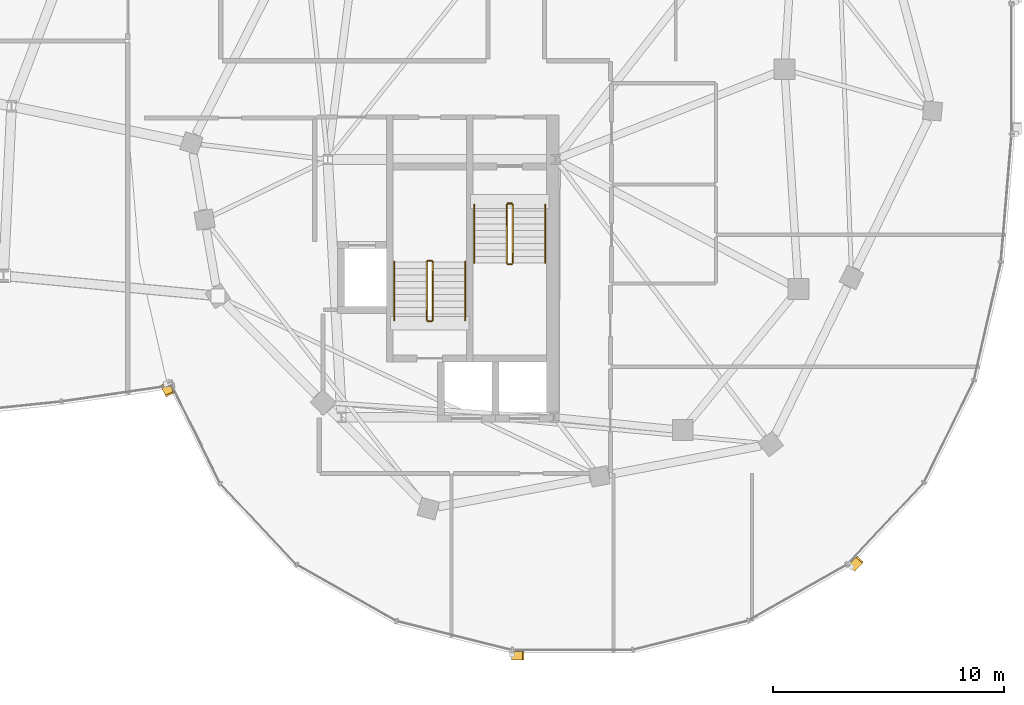
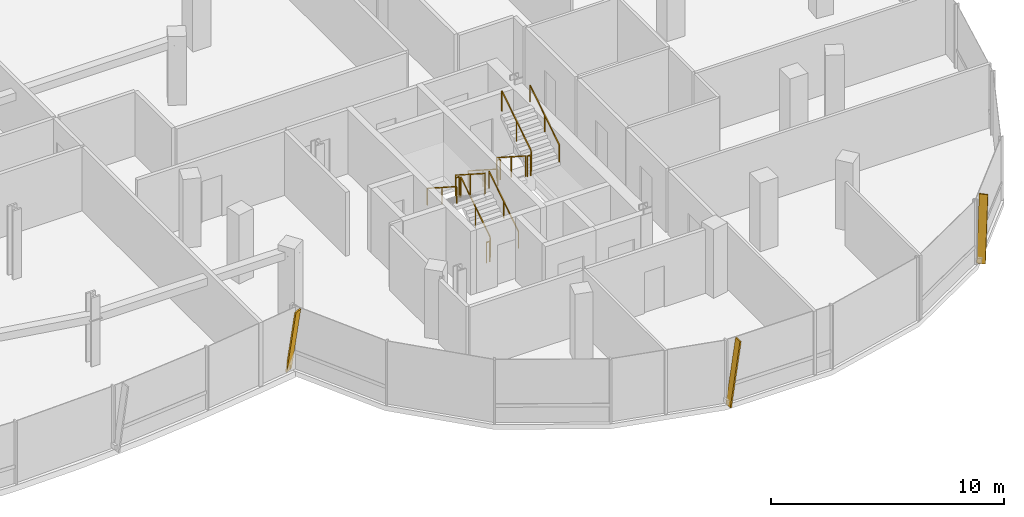
# One storey, part 24 of 25: 12 railings, 3 shading devices.
"""IFC4 building model written with IfcOpenShell, lengths in metres."""

from ifc_helpers import new_model, si_unit, direction, frame, origin, origin_2d, place, context, subcontext, project, spatial, rectangle, extrude, material, material_profile, profile_set, type_object, element, save


model = new_model("IFC4")

# Units and contexts
model_context = context("Model", 3, precision=1e-05, world=origin(), true_north=direction((0.0, 1.0)))
body_context = subcontext(model_context, "Body", "Model", "MODEL_VIEW")
ifc_project = project(units=[si_unit("LENGTHUNIT", "METRE"), si_unit("AREAUNIT", "SQUARE_METRE"), si_unit("VOLUMEUNIT", "CUBIC_METRE"), si_unit("PLANEANGLEUNIT", "RADIAN"), si_unit("MASSUNIT", "GRAM", prefix="KILO"), si_unit("THERMODYNAMICTEMPERATUREUNIT", "KELVIN"), si_unit("POWERUNIT", "WATT")], contexts=[model_context])

# Site, building, storey
site_placement = place(None, origin())
site = spatial("IfcSite", under=ifc_project, at=site_placement, CompositionType="ELEMENT")
building_placement = place(site_placement, origin())
building = spatial("IfcBuilding", under=site, at=building_placement, Name="Cundina Bronze Exchange", CompositionType="ELEMENT")
storey_placement = place(building_placement, frame((0.0, 0.0, 239.60009765625)))
storey = spatial("IfcBuildingStorey", under=building, at=storey_placement, Name="L63", CompositionType="ELEMENT", Elevation=239.60009765625)

# Railings
ifc_material_1 = material(Name="Steel ASTM A36 Painted", Category="steel")
railing_type_1 = type_object("IfcRailingType", Name="RLG-HND-900", PredefinedType="HANDRAIL", material=ifc_material_1)
railing_1_placement = place(storey_placement, frame((27.7900390625, -5.85009765625, 0.179931640625)))
element("IfcRailing", 1, at=railing_1_placement, inside=storey, type_object=railing_type_1, Name="L63 ST-E1 stair handrail 1", PredefinedType="HANDRAIL", context=body_context, shape_type="SweptSolid", body=[
    extrude(rectangle(XDim=0.048095703125, YDim=0.048095703125, at=origin_2d()), frame((0.0, 0.0, 0.8759765625), z_axis=(0.0, -0.841199657755, 0.540724639528), x_axis=(1.0, 0.0, 0.0)), (0.0, 0.0, 1.0), 2.995849609375),
    extrude(rectangle(XDim=0.0419921875, YDim=0.0419921875, at=origin_2d()), origin(), (0.0, 0.0, 1.0), 0.851806640625),
    extrude(rectangle(XDim=0.0419921875, YDim=0.0419921875, at=origin_2d()), frame((0.0, -1.260009765625, 0.81005859375)), (0.0, 0.0, 1.0), 0.851806640625),
    extrude(rectangle(XDim=0.0419921875, YDim=0.0419921875, at=origin_2d()), frame((0.0, -2.52001953125, 1.619873046875)), (0.0, 0.0, 1.0), 0.851806640625),
])
for number, where, name in (
    (2, (30.85009765625, -8.3701171875, 1.97998046875), "L63 ST-E1 stair handrail 2"),
    (3, (27.389892578125, -10.85009765625, 0.179931640625), "L63 ST-E2 stair handrail 1"),
):
    element("IfcRailing", number, at=place(storey_placement, frame(where)), inside=storey, type_object=railing_type_1, Name=name, PredefinedType="HANDRAIL", context=body_context, shape_type="SweptSolid", body=[
        extrude(rectangle(XDim=0.048095703125, YDim=0.048095703125, at=origin_2d()), frame((0.0, 0.0, 0.8759765625), z_axis=(0.0, 0.841199657755, 0.540724639528), x_axis=(-1.0, 0.0, 0.0)), (0.0, 0.0, 1.0), 2.995849609375),
        extrude(rectangle(XDim=0.0419921875, YDim=0.0419921875, at=origin_2d()), origin(), (0.0, 0.0, 1.0), 0.851806640625),
        extrude(rectangle(XDim=0.0419921875, YDim=0.0419921875, at=origin_2d()), frame((0.0, 1.260009765625, 0.81005859375)), (0.0, 0.0, 1.0), 0.851806640625),
        extrude(rectangle(XDim=0.0419921875, YDim=0.0419921875, at=origin_2d()), frame((0.0, 2.52001953125, 1.619873046875)), (0.0, 0.0, 1.0), 0.851806640625),
    ])
railing_2_placement = place(storey_placement, frame((24.330078125, -8.330078125, 1.97998046875)))
element("IfcRailing", 4, at=railing_2_placement, inside=storey, type_object=railing_type_1, Name="L63 ST-E2 stair handrail 2", PredefinedType="HANDRAIL", context=body_context, shape_type="SweptSolid", body=[
    extrude(rectangle(XDim=0.048095703125, YDim=0.048095703125, at=origin_2d()), frame((0.0, 0.0, 0.8759765625), z_axis=(0.0, -0.841199657755, 0.540724639528), x_axis=(1.0, 0.0, 0.0)), (0.0, 0.0, 1.0), 2.995849609375),
    extrude(rectangle(XDim=0.0419921875, YDim=0.0419921875, at=origin_2d()), origin(), (0.0, 0.0, 1.0), 0.851806640625),
    extrude(rectangle(XDim=0.0419921875, YDim=0.0419921875, at=origin_2d()), frame((0.0, -1.260009765625, 0.81005859375)), (0.0, 0.0, 1.0), 0.851806640625),
    extrude(rectangle(XDim=0.0419921875, YDim=0.0419921875, at=origin_2d()), frame((0.0, -2.52001953125, 1.619873046875)), (0.0, 0.0, 1.0), 0.851806640625),
])
railing_type_2 = type_object("IfcRailingType", Name="RLG-STG-1100", PredefinedType="GUARDRAIL", material=ifc_material_1)
railing_3_placement = place(storey_placement, frame((29.18994140625, -5.85009765625, 0.179931640625)))
element("IfcRailing", 5, at=railing_3_placement, inside=storey, type_object=railing_type_2, Name="L63 ST-E1 stair guard 1", PredefinedType="GUARDRAIL", context=body_context, shape_type="SweptSolid", body=[
    extrude(rectangle(XDim=0.048095703125, YDim=0.048095703125, at=origin_2d()), frame((0.0, 0.0, 1.076171875), z_axis=(0.0, -0.841199657755, 0.540724639528), x_axis=(1.0, 0.0, 0.0)), (0.0, 0.0, 1.0), 2.995849609375),
    extrude(rectangle(XDim=0.0419921875, YDim=0.0419921875, at=origin_2d()), origin(), (0.0, 0.0, 1.0), 1.052001953125),
    extrude(rectangle(XDim=0.0419921875, YDim=0.0419921875, at=origin_2d()), frame((0.0, -1.260009765625, 0.81005859375)), (0.0, 0.0, 1.0), 1.052001953125),
    extrude(rectangle(XDim=0.0419921875, YDim=0.0419921875, at=origin_2d()), frame((0.0, -2.52001953125, 1.619873046875)), (0.0, 0.0, 1.0), 1.052001953125),
])
railing_4_placement = place(storey_placement, frame((29.239990234375, -8.419921875, 1.7998046875)))
element("IfcRailing", 6, at=railing_4_placement, inside=storey, type_object=railing_type_2, Name="L63 ST-E1 stair guard 2", PredefinedType="GUARDRAIL", context=body_context, shape_type="SweptSolid", body=[
    extrude(rectangle(XDim=0.048095703125, YDim=0.048095703125, at=origin_2d()), frame((0.0, 0.0, 1.076171875), z_axis=(1.0, 0.0, 0.0), x_axis=(0.0, 1.0, 0.0)), (0.0, 0.0, 1.0), 0.159912109375),
    extrude(rectangle(XDim=0.0419921875, YDim=0.0419921875, at=origin_2d()), origin(), (0.0, 0.0, 1.0), 1.052001953125),
    extrude(rectangle(XDim=0.0419921875, YDim=0.0419921875, at=origin_2d()), frame((0.159912109375, 0.0, 0.0)), (0.0, 0.0, 1.0), 1.052001953125),
])
railing_5_placement = place(storey_placement, frame((29.449951171875, -8.3701171875, 1.97998046875)))
element("IfcRailing", 7, at=railing_5_placement, inside=storey, type_object=railing_type_2, Name="L63 ST-E1 stair guard 3", PredefinedType="GUARDRAIL", context=body_context, shape_type="SweptSolid", body=[
    extrude(rectangle(XDim=0.048095703125, YDim=0.048095703125, at=origin_2d()), frame((0.0, 0.0, 1.076171875), z_axis=(0.0, 0.841199657755, 0.540724639528), x_axis=(-1.0, 0.0, 0.0)), (0.0, 0.0, 1.0), 2.995849609375),
    extrude(rectangle(XDim=0.0419921875, YDim=0.0419921875, at=origin_2d()), origin(), (0.0, 0.0, 1.0), 1.052001953125),
    extrude(rectangle(XDim=0.0419921875, YDim=0.0419921875, at=origin_2d()), frame((0.0, 1.260009765625, 0.81005859375)), (0.0, 0.0, 1.0), 1.052001953125),
    extrude(rectangle(XDim=0.0419921875, YDim=0.0419921875, at=origin_2d()), frame((0.0, 2.52001953125, 1.619873046875)), (0.0, 0.0, 1.0), 1.052001953125),
])
railing_6_placement = place(storey_placement, frame((29.239990234375, -5.800048828125, 0.0)))
element("IfcRailing", 8, at=railing_6_placement, inside=storey, type_object=railing_type_2, Name="L63 ST-E1 stair guard 4", PredefinedType="GUARDRAIL", context=body_context, shape_type="SweptSolid", body=[
    extrude(rectangle(XDim=0.048095703125, YDim=0.048095703125, at=origin_2d()), frame((0.0, 0.0, 1.076171875), z_axis=(1.0, 0.0, 0.0), x_axis=(0.0, 1.0, 0.0)), (0.0, 0.0, 1.0), 0.159912109375),
    extrude(rectangle(XDim=0.0419921875, YDim=0.0419921875, at=origin_2d()), origin(), (0.0, 0.0, 1.0), 1.052001953125),
    extrude(rectangle(XDim=0.0419921875, YDim=0.0419921875, at=origin_2d()), frame((0.159912109375, 0.0, 0.0)), (0.0, 0.0, 1.0), 1.052001953125),
])
railing_7_placement = place(storey_placement, frame((25.989990234375, -10.85009765625, 0.179931640625)))
element("IfcRailing", 9, at=railing_7_placement, inside=storey, type_object=railing_type_2, Name="L63 ST-E2 stair guard 1", PredefinedType="GUARDRAIL", context=body_context, shape_type="SweptSolid", body=[
    extrude(rectangle(XDim=0.048095703125, YDim=0.048095703125, at=origin_2d()), frame((0.0, 0.0, 1.076171875), z_axis=(0.0, 0.841199657755, 0.540724639528), x_axis=(-1.0, 0.0, 0.0)), (0.0, 0.0, 1.0), 2.995849609375),
    extrude(rectangle(XDim=0.0419921875, YDim=0.0419921875, at=origin_2d()), origin(), (0.0, 0.0, 1.0), 1.052001953125),
    extrude(rectangle(XDim=0.0419921875, YDim=0.0419921875, at=origin_2d()), frame((0.0, 1.260009765625, 0.81005859375)), (0.0, 0.0, 1.0), 1.052001953125),
    extrude(rectangle(XDim=0.0419921875, YDim=0.0419921875, at=origin_2d()), frame((0.0, 2.52001953125, 1.619873046875)), (0.0, 0.0, 1.0), 1.052001953125),
])
railing_8_placement = place(storey_placement, frame((25.93994140625, -8.280029296875, 1.7998046875)))
element("IfcRailing", 10, at=railing_8_placement, inside=storey, type_object=railing_type_2, Name="L63 ST-E2 stair guard 2", PredefinedType="GUARDRAIL", context=body_context, shape_type="SweptSolid", body=[
    extrude(rectangle(XDim=0.048095703125, YDim=0.048095703125, at=origin_2d()), frame((0.0, 0.0, 1.076171875), z_axis=(-1.0, 0.0, 0.0), x_axis=(0.0, -1.0, 0.0)), (0.0, 0.0, 1.0), 0.159912109375),
    extrude(rectangle(XDim=0.0419921875, YDim=0.0419921875, at=origin_2d()), origin(), (0.0, 0.0, 1.0), 1.052001953125),
    extrude(rectangle(XDim=0.0419921875, YDim=0.0419921875, at=origin_2d()), frame((-0.159912109375, 0.0, 0.0)), (0.0, 0.0, 1.0), 1.052001953125),
])
railing_9_placement = place(storey_placement, frame((25.72998046875, -8.330078125, 1.97998046875)))
element("IfcRailing", 11, at=railing_9_placement, inside=storey, type_object=railing_type_2, Name="L63 ST-E2 stair guard 3", PredefinedType="GUARDRAIL", context=body_context, shape_type="SweptSolid", body=[
    extrude(rectangle(XDim=0.048095703125, YDim=0.048095703125, at=origin_2d()), frame((0.0, 0.0, 1.076171875), z_axis=(0.0, -0.841199657755, 0.540724639528), x_axis=(1.0, 0.0, 0.0)), (0.0, 0.0, 1.0), 2.995849609375),
    extrude(rectangle(XDim=0.0419921875, YDim=0.0419921875, at=origin_2d()), origin(), (0.0, 0.0, 1.0), 1.052001953125),
    extrude(rectangle(XDim=0.0419921875, YDim=0.0419921875, at=origin_2d()), frame((0.0, -1.260009765625, 0.81005859375)), (0.0, 0.0, 1.0), 1.052001953125),
    extrude(rectangle(XDim=0.0419921875, YDim=0.0419921875, at=origin_2d()), frame((0.0, -2.52001953125, 1.619873046875)), (0.0, 0.0, 1.0), 1.052001953125),
])
railing_10_placement = place(storey_placement, frame((25.93994140625, -10.89990234375, 0.0)))
element("IfcRailing", 12, at=railing_10_placement, inside=storey, type_object=railing_type_2, Name="L63 ST-E2 stair guard 4", PredefinedType="GUARDRAIL", context=body_context, shape_type="SweptSolid", body=[
    extrude(rectangle(XDim=0.048095703125, YDim=0.048095703125, at=origin_2d()), frame((0.0, 0.0, 1.076171875), z_axis=(-1.0, 0.0, 0.0), x_axis=(0.0, -1.0, 0.0)), (0.0, 0.0, 1.0), 0.159912109375),
    extrude(rectangle(XDim=0.0419921875, YDim=0.0419921875, at=origin_2d()), origin(), (0.0, 0.0, 1.0), 1.052001953125),
    extrude(rectangle(XDim=0.0419921875, YDim=0.0419921875, at=origin_2d()), frame((-0.159912109375, 0.0, 0.0)), (0.0, 0.0, 1.0), 1.052001953125),
])

# Shading devices
ifc_material_2 = material(Name="Anodised Bronze Aluminium 6063-T6", Category="aluminium")
ifc_material_profile = material_profile(ifc_material_2, rectangle(XDim=0.070068359375, YDim=0.3798828125, at=origin_2d()), Name="FIN70X380", Category="aluminium")
ifc_profile_set = profile_set([ifc_material_profile], Name="Anodised Bronze Aluminium 6063-T6")
shading_device_type = type_object("IfcShadingDeviceType", Name="SHD-FIN-BRZ380", PredefinedType="USERDEFINED", material=ifc_profile_set)
for number, where, z_axis, x_axis, name in (
    (13, (14.406494140625, -13.614013671875, 0.02001953125), (0.06340496231, -0.129226049049, 0.989585993738), (-0.435899643486, 0.888409781469, 0.143942908816), "L63 Diagonal Bronze Solar Fin 1"),
    (14, (29.423583984375, -25.360107421875, 0.02001953125), (0.143942452949, 0.0, 0.989586060047), (-0.989586060047, 0.0, 0.143942452949), "L63 Diagonal Bronze Solar Fin 5"),
    (15, (44.122314453125, -21.55078125, 0.02001953125), (0.09854858404, 0.104918366218, 0.989585930081), (-0.677504689193, -0.721295854096, 0.143943346447), "L63 Diagonal Bronze Solar Fin 1"),
):
    element("IfcShadingDevice", number, at=place(storey_placement, frame(where, z_axis=z_axis, x_axis=x_axis)), inside=storey, type_object=shading_device_type, Name=name, ObjectType="FIN", PredefinedType="USERDEFINED", context=body_context, shape_type="SweptSolid", body=[
        extrude(rectangle(XDim=0.070068359375, YDim=0.3798828125, at=origin_2d()), origin(), (0.0, 0.0, 1.0), 3.33447265625),
    ])

save(model, "model.ifc")
